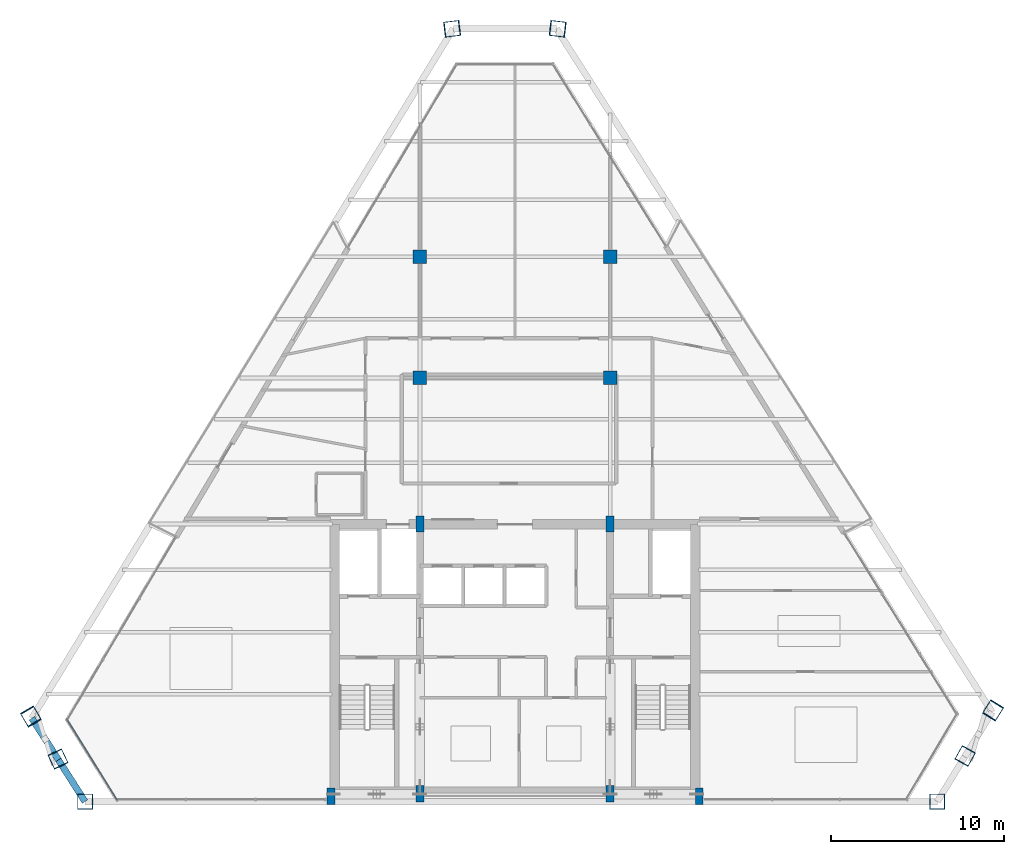
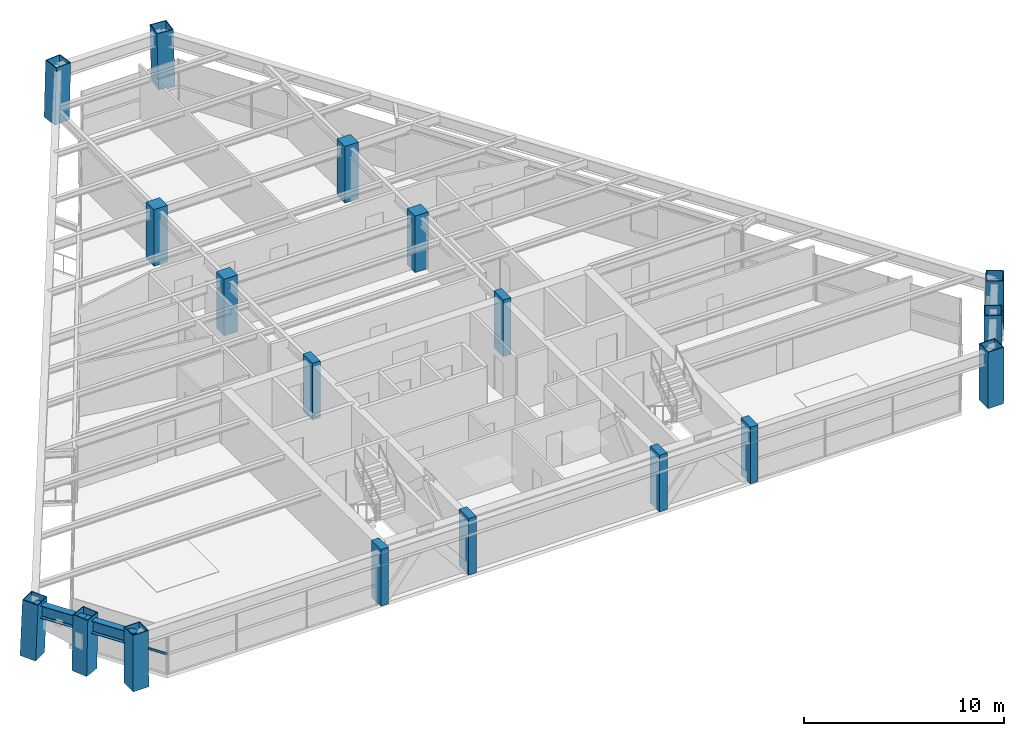
# One storey, part 1 of 12: 18 columns, 2 beams, 1 member, 1 element without a shape of its own.
"""IFC4 building model written with IfcOpenShell, lengths in metres."""

from ifc_helpers import new_model, si_unit, direction, frame, origin, origin_2d, place, context, subcontext, project, spatial, rectangle, hollow_rectangle, i_section, extrude, source, transform, mapped, material, material_profile, profile_set, type_object, element, aggregate, save


model = new_model("IFC4")

# Units and contexts
model_context = context("Model", 3, precision=1e-05, world=origin(), true_north=direction((0.0, 1.0)))
body_context = subcontext(model_context, "Body", "Model", "MODEL_VIEW")
ifc_project = project(units=[si_unit("LENGTHUNIT", "METRE"), si_unit("AREAUNIT", "SQUARE_METRE"), si_unit("VOLUMEUNIT", "CUBIC_METRE"), si_unit("PLANEANGLEUNIT", "RADIAN"), si_unit("MASSUNIT", "GRAM", prefix="KILO")], contexts=[model_context])

# Site, building, storey
site_placement = place(None, origin())
site = spatial("IfcSite", under=ifc_project, at=site_placement, CompositionType="ELEMENT")
building_placement = place(site_placement, origin())
building = spatial("IfcBuilding", under=site, at=building_placement, Name="Varnakhor Terracotta Tower", CompositionType="ELEMENT")
storey_placement = place(building_placement, frame((0.0, 0.0, 230.35009765625)))
storey = spatial("IfcBuildingStorey", under=building, at=storey_placement, Name="L59", CompositionType="ELEMENT", Elevation=230.35009765625)

# Columns
ifc_material_1 = material(Name="Concrete C50/60", Category="concrete")
ifc_material_profile_1 = material_profile(ifc_material_1, rectangle(XDim=0.449951171875, YDim=0.949951171875, at=origin_2d()), Name="RC PILASTER 950x450")
ifc_profile_set_1 = profile_set([ifc_material_profile_1], Name="Concrete C50/60")
column_type_1 = type_object("IfcColumnType", Name="COL-PIL-950x450", PredefinedType="PILASTER", material=ifc_profile_set_1)
shared_shape_1 = source(origin(), body_context, "Body", "SweptSolid", [
    extrude(rectangle(XDim=0.449951171875, YDim=0.949951171875, at=origin_2d()), origin(), (0.0, 0.0, 1.0), 3.449951171875),
])
for number, where, z_axis, x_axis, name in (
    (1, (-10.64990234375, 0.300048828125, 0.0), (0.0, 0.0, 1.0), (1.0, 0.0, 0.0), "L59 Core Pilaster CP1"),
    (2, (-5.5, 0.449951171875, 0.0), (0.0, 0.0, 1.0), (1.0, 0.0, 0.0), "L59 Core Pilaster CP2"),
    (3, (5.5, 0.449951171875, 0.0), (0.0, 0.0, 1.0), (1.0, 0.0, 0.0), "L59 Core Pilaster CP3"),
    (4, (10.64990234375, 0.300048828125, 0.0), (0.0, 0.0, 1.0), (1.0, 0.0, 0.0), "L59 Core Pilaster CP4"),
    (5, (-5.5, 16.050048828125, 0.0), (0.0, 0.0, 1.0), (1.0, 0.0, 0.0), "L59 Core Pilaster CP5"),
    (6, (5.5, 16.050048828125, 0.0), (0.0, 0.0, 1.0), (1.0, 0.0, 0.0), "L59 Core Pilaster CP6"),
):
    element("IfcColumn", number, at=place(storey_placement, frame(where, z_axis=z_axis, x_axis=x_axis)), inside=storey, type_object=column_type_1, Name=name, PredefinedType="PILASTER", context=body_context, shape_type="MappedRepresentation", body=[
        mapped(shared_shape_1, transform((0.0, 0.0, 0.0), scale=1.0)),
    ])
ifc_material_2 = material(Name="Steel S460", Category="steel")
ifc_material_profile_2 = material_profile(ifc_material_2, hollow_rectangle(XDim=0.89990234375, YDim=0.89990234375, WallThickness=0.044921875, at=origin_2d()), Name="BOX 900x900x45")
ifc_profile_set_2 = profile_set([ifc_material_profile_2], Name="Steel S460")
column_type_2 = type_object("IfcColumnType", Name="COL-MEGA-900", PredefinedType="COLUMN", material=ifc_profile_set_2)
shared_shape_2 = source(origin(), body_context, "Body", "SweptSolid", [
    extrude(hollow_rectangle(XDim=0.89990234375, YDim=0.89990234375, WallThickness=0.044921875, at=origin_2d()), origin(), (0.0, 0.0, 1.0), 3.441162109375),
])
for number, where, z_axis, x_axis, name in (
    (7, (-24.859619140625, 0.0, 0.00439453125), (-0.003973008728, 0.0, 0.99999210757), (0.0, -1.0, 0.0), "L59 Perimeter Mega-Column M1"),
    (8, (24.417236328125, 0.0, 0.00439453125), (0.002057462832, 0.0, 0.999997883421), (0.0, 1.0, 0.0), "L59 Perimeter Mega-Column M2"),
):
    element("IfcColumn", number, at=place(storey_placement, frame(where, z_axis=z_axis, x_axis=x_axis)), inside=storey, type_object=column_type_2, Name=name, PredefinedType="COLUMN", context=body_context, shape_type="MappedRepresentation", body=[
        mapped(shared_shape_2, transform((0.0, 0.0, 0.0), scale=1.0)),
    ])
shared_shape_3 = source(origin(), body_context, "Body", "SweptSolid", [
    extrude(hollow_rectangle(XDim=0.89990234375, YDim=0.89990234375, WallThickness=0.044921875, at=origin_2d()), origin(), (0.0, 0.0, 1.0), 3.44189453125),
])
for number, where, z_axis, x_axis, name in (
    (9, (26.03857421875, 2.6455078125, 0.00439453125), (-0.00929239417, -0.016598627754, 0.999819052113), (0.872569595673, -0.488489816381, 0.0), "L59 Perimeter Mega-Column M3"),
    (10, (-26.437255859375, 2.46875, 0.00439453125), (0.008299266105, -0.017449738989, 0.999813296967), (0.903063984632, 0.429506041471, 0.0), "L59 Perimeter Mega-Column M8"),
):
    element("IfcColumn", number, at=place(storey_placement, frame(where, z_axis=z_axis, x_axis=x_axis)), inside=storey, type_object=column_type_2, Name=name, PredefinedType="COLUMN", context=body_context, shape_type="MappedRepresentation", body=[
        mapped(shared_shape_3, transform((0.0, 0.0, 0.0), scale=1.0)),
    ])
shared_shape_4 = source(origin(), body_context, "Body", "SweptSolid", [
    extrude(hollow_rectangle(XDim=0.89990234375, YDim=0.89990234375, WallThickness=0.044921875, at=origin_2d()), origin(), (0.0, 0.0, 1.0), 3.44384765625),
])
column_1_placement = place(storey_placement, frame((27.65966796875, 5.291015625, 0.00439453125), z_axis=(-0.020629905094, -0.033107098552, 0.999238873864), x_axis=(0.848712229435, -0.528854943824, 0.0)))
element("IfcColumn", 11, at=column_1_placement, inside=storey, type_object=column_type_2, Name="L59 Perimeter Mega-Column M4", PredefinedType="COLUMN", context=body_context, shape_type="MappedRepresentation", body=[
    mapped(shared_shape_4, transform((0.0, 0.0, 0.0), scale=1.0)),
])
shared_shape_5 = source(origin(), body_context, "Body", "SweptSolid", [
    extrude(hollow_rectangle(XDim=0.89990234375, YDim=0.89990234375, WallThickness=0.044921875, at=origin_2d()), origin(), (0.0, 0.0, 1.0), 3.444091796875),
])
column_2_placement = place(storey_placement, frame((-28.014892578125, 4.9375, 0.00439453125), z_axis=(0.020486944275, -0.034877427625, 0.999181590181), x_axis=(0.862249415421, 0.506483904587, 0.0)))
element("IfcColumn", 12, at=column_2_placement, inside=storey, type_object=column_type_2, Name="L59 Perimeter Mega-Column M7", PredefinedType="COLUMN", context=body_context, shape_type="MappedRepresentation", body=[
    mapped(shared_shape_5, transform((0.0, 0.0, 0.0), scale=1.0)),
])
ifc_material_profile_3 = material_profile(ifc_material_1, rectangle(XDim=0.780029296875, YDim=0.780029296875, at=origin_2d()), Name="RC 780x780")
ifc_profile_set_3 = profile_set([ifc_material_profile_3], Name="Concrete C50/60")
column_type_3 = type_object("IfcColumnType", Name="COL-RC-780", PredefinedType="COLUMN", material=ifc_profile_set_3)
shared_shape_6 = source(origin(), body_context, "Body", "SweptSolid", [
    extrude(rectangle(XDim=0.780029296875, YDim=0.780029296875, at=origin_2d()), origin(), (0.0, 0.0, 1.0), 3.449951171875),
])
for number, where, z_axis, x_axis, name in (
    (13, (-5.5, 24.5, 0.0), (0.0, 0.0, 1.0), (1.0, 0.0, 0.0), "L59 Interior Tower Column IC1"),
    (14, (5.5, 24.5, 0.0), (0.0, 0.0, 1.0), (1.0, 0.0, 0.0), "L59 Interior Tower Column IC2"),
    (15, (-5.5, 31.5, 0.0), (0.0, 0.0, 1.0), (1.0, 0.0, 0.0), "L59 Interior Tower Column IC3"),
    (16, (5.5, 31.5, 0.0), (0.0, 0.0, 1.0), (1.0, 0.0, 0.0), "L59 Interior Tower Column IC4"),
):
    element("IfcColumn", number, at=place(storey_placement, frame(where, z_axis=z_axis, x_axis=x_axis)), inside=storey, type_object=column_type_3, Name=name, PredefinedType="COLUMN", context=body_context, shape_type="MappedRepresentation", body=[
        mapped(shared_shape_6, transform((0.0, 0.0, 0.0), scale=1.0)),
    ])
shared_shape_7 = source(origin(), body_context, "Body", "SweptSolid", [
    extrude(hollow_rectangle(XDim=0.89990234375, YDim=0.89990234375, WallThickness=0.044921875, at=origin_2d()), origin(), (0.0, 0.0, 1.0), 3.4423828125),
])
for number, where, z_axis, x_axis, name in (
    (17, (2.48388671875, 44.690185546875, 0.00439453125), (-0.026383027957, 0.003049651081, 0.999647255518), (-0.114826821427, -0.9933855249, 0.0), "L59 Perimeter Mega-Column M5"),
    (18, (-3.654296875, 44.690185546875, 0.00439453125), (0.025390770931, 0.003049729469, 0.99967295047), (-0.119254579609, 0.992863709299, 0.0), "L59 Perimeter Mega-Column M6"),
):
    element("IfcColumn", number, at=place(storey_placement, frame(where, z_axis=z_axis, x_axis=x_axis)), inside=storey, type_object=column_type_2, Name=name, PredefinedType="COLUMN", context=body_context, shape_type="MappedRepresentation", body=[
        mapped(shared_shape_7, transform((0.0, 0.0, 0.0), scale=1.0)),
    ])

# Beams
ifc_material_3 = material(Name="Steel S355", Category="steel")
ifc_material_profile_4 = material_profile(ifc_material_3, i_section(OverallWidth=0.381103515625, OverallDepth=0.77294921875, WebThickness=0.01708984375, FlangeThickness=0.027099609375, FilletRadius=0.01806640625, at=origin_2d()), Name="W30X173")
ifc_profile_set_4 = profile_set([ifc_material_profile_4], Name="Steel S355")
beam_type = type_object("IfcBeamType", Name="BM-W30X173", PredefinedType="BEAM", material=ifc_profile_set_4)
shared_shape_8 = source(origin(), body_context, "Body", "SweptSolid", [
    extrude(i_section(OverallWidth=0.381103515625, OverallDepth=0.77294921875, WebThickness=0.01708984375, FlangeThickness=0.027099609375, FilletRadius=0.01806640625, at=origin_2d()), origin(), (0.0, 0.0, 1.0), 2.856689453125),
])
beam_1_placement = place(storey_placement, frame((-27.9443359375, 4.8173828125, 2.853515625), z_axis=(0.537583165462, -0.84321073298, 0.0), x_axis=(0.84321073298, 0.537583165462, 0.0)))
element("IfcBeam", 19, at=beam_1_placement, inside=storey, type_object=beam_type, Name="L59 Perimeter Spandrel 7", PredefinedType="BEAM", context=body_context, shape_type="MappedRepresentation", body=[
    mapped(shared_shape_8, transform((0.0, 0.0, 0.0), scale=1.0)),
])
shared_shape_9 = source(origin(), body_context, "Body", "SweptSolid", [
    extrude(i_section(OverallWidth=0.381103515625, OverallDepth=0.77294921875, WebThickness=0.01708984375, FlangeThickness=0.027099609375, FilletRadius=0.01806640625, at=origin_2d()), origin(), (0.0, 0.0, 1.0), 2.8564453125),
])
beam_2_placement = place(storey_placement, frame((-26.40869140625, 2.40869140625, 2.853515625), z_axis=(0.537522394348, -0.843249474103, 0.0), x_axis=(0.843249474103, 0.537522394348, 0.0)))
element("IfcBeam", 20, at=beam_2_placement, inside=storey, type_object=beam_type, Name="L59 Perimeter Spandrel 8", PredefinedType="BEAM", context=body_context, shape_type="MappedRepresentation", body=[
    mapped(shared_shape_9, transform((0.0, 0.0, 0.0), scale=1.0)),
])

# Curtain wall, member
ifc_material_4 = material(Name="Anodised Aluminium Curtain Wall System", Category="aluminium")
curtain_wall_type = type_object("IfcCurtainWallType", Name="CW-SYS-HOTEL-LOGGIA", PredefinedType="NOTDEFINED", material=ifc_material_4)
curtain_wall_placement = place(storey_placement, origin())
curtain_wall = element("IfcCurtainWall", 21, at=curtain_wall_placement, inside=storey, type_object=curtain_wall_type, Name="L59 Facet Curtain Wall 6", PredefinedType="NOTDEFINED")
ifc_material_5 = material(Name="Anodised Aluminium 6063-T6", Category="aluminium")
ifc_material_profile_5 = material_profile(ifc_material_5, rectangle(XDim=0.06494140625, YDim=0.14501953125, at=origin_2d()), Name="ALU TRANSOM 65x145")
ifc_profile_set_5 = profile_set([ifc_material_profile_5], Name="Anodised Aluminium 6063-T6")
member_type = type_object("IfcMemberType", Name="CWT-04", PredefinedType="USERDEFINED", material=ifc_profile_set_5)
shared_shape_10 = source(origin(), body_context, "Body", "SweptSolid", [
    extrude(rectangle(XDim=0.06494140625, YDim=0.14501953125, at=origin_2d()), origin(), (0.0, 0.0, 1.0), 5.501708984375),
])
member_placement = place(storey_placement, frame((-23.01171875, 0.0888671875, 1.184326171875), z_axis=(-0.52789519233, 0.849309523033, 0.0), x_axis=(-0.849309523033, -0.52789519233, 0.0)))
member = element("IfcMember", 22, at=member_placement, type_object=member_type, Name="L59 Facet Curtain Wall 6 Transom 1", ObjectType="TRANSOM", PredefinedType="USERDEFINED", context=body_context, shape_type="MappedRepresentation", body=[
    mapped(shared_shape_10, transform((0.0, 0.0, 0.0), scale=1.0)),
])
aggregate(curtain_wall, [member])

save(model, "model.ifc")
